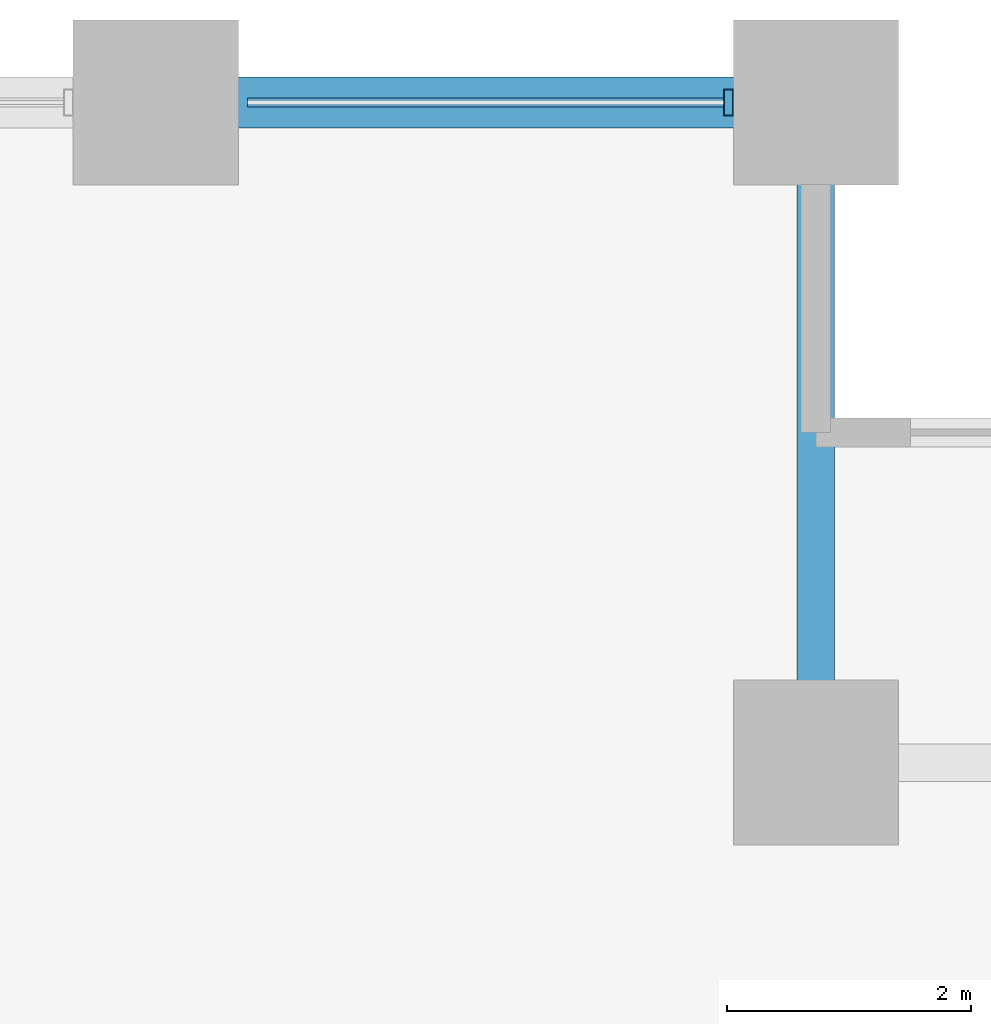
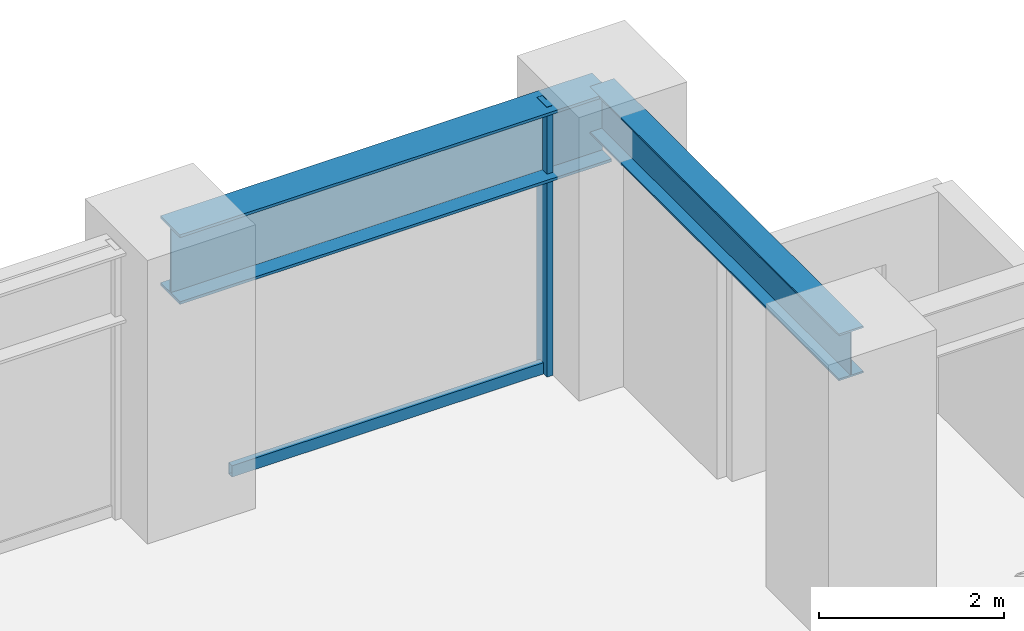
# One storey, part 16 of 25: 2 beams, 2 members, 1 element without a shape of its own.
"""IFC4 building model written with IfcOpenShell, lengths in metres."""

from ifc_helpers import new_model, si_unit, direction, frame, origin, origin_2d, place, context, subcontext, project, spatial, hollow_rectangle, i_section, extrude, material, layer, layer_set, material_profile, profile_set, type_object, element, aggregate, save


model = new_model("IFC4")

# Units and contexts
model_context = context("Model", 3, precision=1e-05, world=origin(), true_north=direction((0.0, 1.0)))
body_context = subcontext(model_context, "Body", "Model", "MODEL_VIEW")
ifc_project = project(units=[si_unit("LENGTHUNIT", "METRE"), si_unit("AREAUNIT", "SQUARE_METRE"), si_unit("VOLUMEUNIT", "CUBIC_METRE"), si_unit("PLANEANGLEUNIT", "RADIAN"), si_unit("MASSUNIT", "GRAM", prefix="KILO")], contexts=[model_context])

# Site, building, storey
site_placement = place(None, origin())
site = spatial("IfcSite", under=ifc_project, at=site_placement, CompositionType="ELEMENT")
building_placement = place(site_placement, origin())
building = spatial("IfcBuilding", under=site, at=building_placement, Name="Surkhivell Harbour Commons", CompositionType="ELEMENT")
storey_placement = place(building_placement, frame((0.0, 0.0, 45.0)))
storey = spatial("IfcBuildingStorey", under=building, at=storey_placement, Name="L11", CompositionType="ELEMENT", Elevation=45.0)

# Beams
ifc_material_1 = material(Name="Steel S355", Category="steel")
ifc_material_profile_1 = material_profile(ifc_material_1, i_section(OverallWidth=0.306884765625, OverallDepth=0.6201171875, WebThickness=0.01416015625, FlangeThickness=0.023681640625, at=origin_2d()), Name="UB610x305x179")
ifc_profile_set_1 = profile_set([ifc_material_profile_1], Name="Steel S355")
beam_type_1 = type_object("IfcBeamType", Name="BM-GRD-610A", PredefinedType="BEAM", material=ifc_profile_set_1)
beam_1_placement = place(storey_placement, frame((27.0, 20.5, 3.260009765625), z_axis=(0.0, 1.0, 0.0), x_axis=(-1.0, 0.0, 0.0)))
element("IfcBeam", 1, at=beam_1_placement, inside=storey, type_object=beam_type_1, Name="L11 Floor Girder (27.0,20.5)", PredefinedType="BEAM", context=body_context, shape_type="SweptSolid", body=[
    extrude(i_section(OverallWidth=0.306884765625, OverallDepth=0.6201171875, WebThickness=0.01416015625, FlangeThickness=0.023681640625, at=origin_2d()), origin(), (0.0, 0.0, 1.0), 5.39990234375),
])
ifc_material_2 = material(Name="Steel S460", Category="steel")
ifc_material_profile_2 = material_profile(ifc_material_2, i_section(OverallWidth=0.419921875, OverallDepth=0.9208984375, WebThickness=0.021484375, FlangeThickness=0.03662109375, at=origin_2d()), Name="UB914x419x388")
ifc_profile_set_2 = profile_set([ifc_material_profile_2], Name="Steel S460")
beam_type_2 = type_object("IfcBeamType", Name="BM-SPN-914A", PredefinedType="SPANDREL", material=ifc_profile_set_2)
beam_2_placement = place(storey_placement, frame((21.60009765625, 25.89990234375, 3.109619140625), z_axis=(1.0, 0.0, 0.0), x_axis=(0.0, 1.0, 0.0)))
element("IfcBeam", 2, at=beam_2_placement, inside=storey, type_object=beam_type_2, Name="L11 Tube Spandrel (21.6,25.9)", PredefinedType="SPANDREL", context=body_context, shape_type="SweptSolid", body=[
    extrude(i_section(OverallWidth=0.419921875, OverallDepth=0.9208984375, WebThickness=0.021484375, FlangeThickness=0.03662109375, at=origin_2d()), origin(), (0.0, 0.0, 1.0), 5.39990234375),
])

# Curtain wall, members
ifc_material_3 = material(Name="Anodised pale-metal aluminium and insulated glazing", Category="aluminium")
ifc_layer = layer(ifc_material_3, 0.219970703125)
ifc_layer_set = layer_set([ifc_layer], Name="Anodised pale-metal aluminium and insulated glazing")
curtain_wall_type = type_object("IfcCurtainWallType", Name="CW-SYS-Z1", PredefinedType="NOTDEFINED", material=ifc_layer_set)
curtain_wall_placement = place(storey_placement, origin())
curtain_wall = element("IfcCurtainWall", 3, at=curtain_wall_placement, inside=storey, type_object=curtain_wall_type, Name="L11 Curtain Wall CW-L11-E07S1", PredefinedType="NOTDEFINED")
ifc_material_4 = material(Name="Anodised pale-metal aluminium alloy 6063-T6", Category="aluminium")
ifc_material_profile_3 = material_profile(ifc_material_4, hollow_rectangle(XDim=0.074951171875, YDim=0.219970703125, WallThickness=0.00390625, at=origin_2d()), Name="ALU-MULL-75x220")
ifc_profile_set_3 = profile_set([ifc_material_profile_3], Name="Anodised pale-metal aluminium alloy 6063-T6")
member_type_1 = type_object("IfcMemberType", Name="CWM-220", PredefinedType="MULLION", material=ifc_profile_set_3)
member_1_placement = place(storey_placement, frame((26.285400390625, 25.89990234375, 0.0), z_axis=(0.0, 0.0, 1.0), x_axis=(-1.0, 0.0, 0.0)))
member_1 = element("IfcMember", 4, at=member_1_placement, type_object=member_type_1, Name="CW-Z1 mullion 1", PredefinedType="MULLION", context=body_context, shape_type="SweptSolid", body=[
    extrude(hollow_rectangle(XDim=0.074951171875, YDim=0.219970703125, WallThickness=0.00390625, at=origin_2d()), origin(), (0.0, 0.0, 1.0), 3.570068359375),
])
ifc_material_profile_4 = material_profile(ifc_material_4, hollow_rectangle(XDim=0.074951171875, YDim=0.14990234375, WallThickness=0.00341796875, at=origin_2d()), Name="ALU-TRAN-75x150")
ifc_profile_set_4 = profile_set([ifc_material_profile_4], Name="Anodised pale-metal aluminium alloy 6063-T6")
member_type_2 = type_object("IfcMemberType", Name="CWT-150", PredefinedType="USERDEFINED", material=ifc_profile_set_4)
member_2_placement = place(storey_placement, frame((26.248046875, 25.89990234375, 0.074951171875), z_axis=(-1.0, 0.0, 0.0), x_axis=(0.0, -1.0, 0.0)))
member_2 = element("IfcMember", 5, at=member_2_placement, type_object=member_type_2, Name="CW-Z1 transom 1.1", ObjectType="TRANSOM", PredefinedType="USERDEFINED", context=body_context, shape_type="SweptSolid", body=[
    extrude(hollow_rectangle(XDim=0.074951171875, YDim=0.14990234375, WallThickness=0.00341796875, at=origin_2d()), origin(), (0.0, 0.0, 1.0), 3.89599609375),
])
aggregate(curtain_wall, [member_1, member_2])

save(model, "model.ifc")
